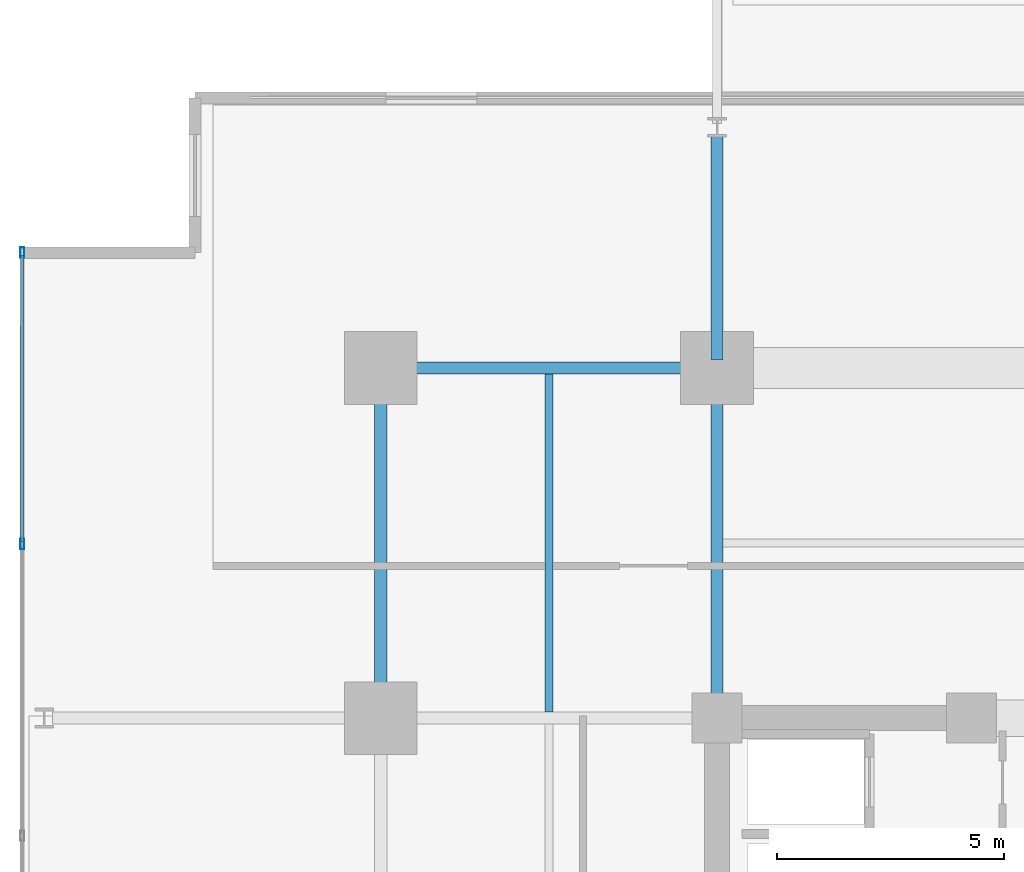
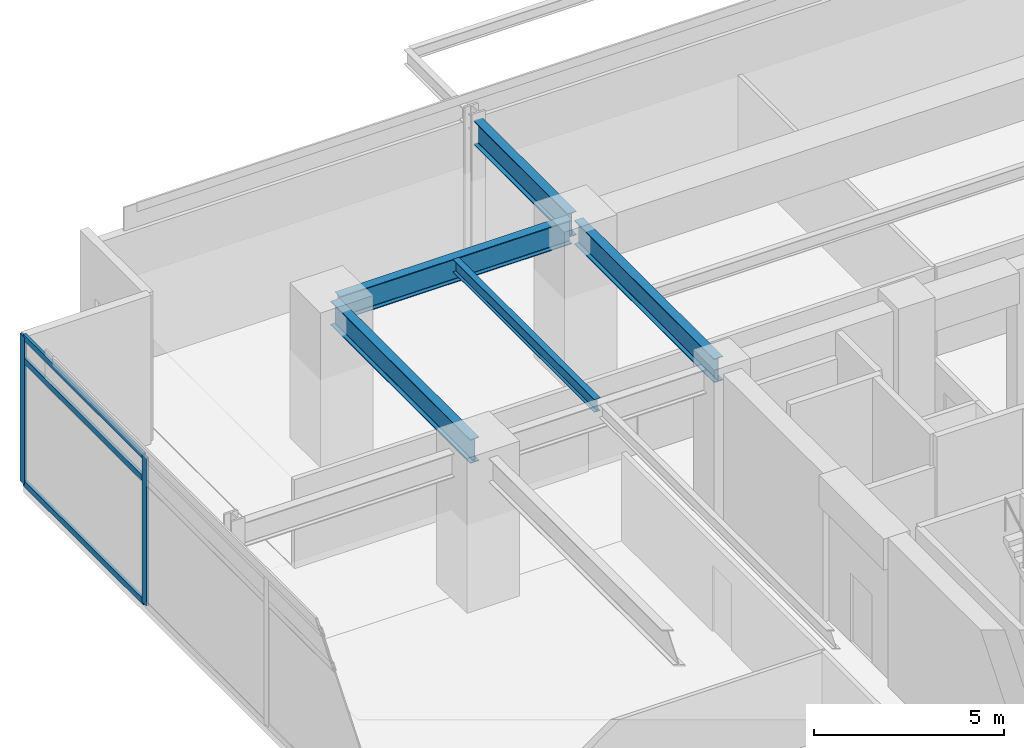
# One storey, part 10 of 20: 5 beams, 5 members, 1 element without a shape of its own.
"""IFC4 building model written with IfcOpenShell, lengths in metres."""

from ifc_helpers import new_model, si_unit, direction, frame, origin, origin_2d, place, context, subcontext, project, spatial, hollow_rectangle, i_section, extrude, material, material_profile, profile_set, type_object, element, aggregate, save


model = new_model("IFC4")

# Units and contexts
model_context = context("Model", 3, precision=1e-05, world=origin(), true_north=direction((0.0, 1.0)))
body_context = subcontext(model_context, "Body", "Model", "MODEL_VIEW")
ifc_project = project(units=[si_unit("LENGTHUNIT", "METRE"), si_unit("AREAUNIT", "SQUARE_METRE"), si_unit("VOLUMEUNIT", "CUBIC_METRE"), si_unit("PLANEANGLEUNIT", "RADIAN"), si_unit("MASSUNIT", "GRAM", prefix="KILO")], contexts=[model_context])

# Site, building, storey
site_placement = place(None, origin())
site = spatial("IfcSite", under=ifc_project, at=site_placement, CompositionType="ELEMENT")
building_placement = place(site_placement, origin())
building = spatial("IfcBuilding", under=site, at=building_placement, Name="Kovane Verandah Tower", CompositionType="ELEMENT")
storey_placement = place(building_placement, frame((0.0, 0.0, 123.39990234375)))
storey = spatial("IfcBuildingStorey", under=building, at=storey_placement, Name="L28", CompositionType="ELEMENT", Elevation=123.39990234375)

# Beams
ifc_material_1 = material(Name="Steel S355", Category="steel")
ifc_material_profile_1 = material_profile(ifc_material_1, i_section(OverallWidth=0.26806640625, OverallDepth=0.769775390625, WebThickness=0.015625, FlangeThickness=0.025390625, FilletRadius=0.0166015625, at=origin_2d()), Name="UB762x267x197")
ifc_profile_set_1 = profile_set([ifc_material_profile_1], Name="Steel S355")
beam_type_1 = type_object("IfcBeamType", Name="BM-UB762x197", PredefinedType="BEAM", material=ifc_profile_set_1)
beam_1_placement = place(storey_placement, frame((21.780029296875, 44.199951171875, 4.39013671875), z_axis=(1.0, 0.0, 0.0), x_axis=(0.0, 1.0, 0.0)))
element("IfcBeam", 1, at=beam_1_placement, inside=storey, type_object=beam_type_1, Name="L28 Primary Tower Girder G-RN1", PredefinedType="BEAM", context=body_context, shape_type="SweptSolid", body=[
    extrude(i_section(OverallWidth=0.26806640625, OverallDepth=0.769775390625, WebThickness=0.015625, FlangeThickness=0.025390625, FilletRadius=0.0166015625, at=origin_2d()), origin(), (0.0, 0.0, 1.0), 7.0400390625),
])
for number, where, z_axis, x_axis, name in (
    (2, (21.60009765625, 36.679931640625, 4.39013671875), (0.0, 1.0, 0.0), (-1.0, 0.0, 0.0), "L28 Primary Tower Girder G-RW3"),
    (3, (29.0, 36.679931640625, 4.39013671875), (0.0, 1.0, 0.0), (-1.0, 0.0, 0.0), "L28 Primary Tower Girder G-N1"),
):
    element("IfcBeam", number, at=place(storey_placement, frame(where, z_axis=z_axis, x_axis=x_axis)), inside=storey, type_object=beam_type_1, Name=name, PredefinedType="BEAM", context=body_context, shape_type="SweptSolid", body=[
        extrude(i_section(OverallWidth=0.26806640625, OverallDepth=0.769775390625, WebThickness=0.015625, FlangeThickness=0.025390625, FilletRadius=0.0166015625, at=origin_2d()), origin(), (0.0, 0.0, 1.0), 7.340087890625),
    ])
beam_2_placement = place(storey_placement, frame((29.0, 44.3798828125, 4.375244140625), z_axis=(0.0, 1.0, 0.0), x_axis=(-1.0, 0.0, 0.0)))
element("IfcBeam", 4, at=beam_2_placement, inside=storey, type_object=beam_type_1, Name="L28 Primary Tower Girder G-VN1", PredefinedType="BEAM", context=body_context, shape_type="SweptSolid", body=[
    extrude(i_section(OverallWidth=0.26806640625, OverallDepth=0.769775390625, WebThickness=0.015625, FlangeThickness=0.025390625, FilletRadius=0.0166015625, at=origin_2d()), origin(), (0.0, 0.0, 1.0), 4.940185546875),
])

# Curtain wall, members
ifc_material_2 = material(Name="Champagne Anodised Aluminium Frame with Low-E Clear Laminated Glass", Category="aluminium")
curtain_wall_type = type_object("IfcCurtainWallType", Name="CW-SYS-03-MID", PredefinedType="NOTDEFINED", material=ifc_material_2)
curtain_wall_placement = place(storey_placement, origin())
curtain_wall = element("IfcCurtainWall", 5, at=curtain_wall_placement, inside=storey, type_object=curtain_wall_type, Name="L28 W Unitised Curtain Wall", PredefinedType="NOTDEFINED")
ifc_material_3 = material(Name="Champagne Anodised Aluminium 6063-T6", Category="aluminium")
ifc_material_profile_2 = material_profile(ifc_material_3, hollow_rectangle(XDim=0.0849609375, YDim=0.22998046875, WallThickness=0.00390625, at=origin_2d()), Name="AL85x230x4")
ifc_profile_set_2 = profile_set([ifc_material_profile_2], Name="Champagne Anodised Aluminium 6063-T6")
member_type_1 = type_object("IfcMemberType", Name="CW-MUL-85x230", PredefinedType="MULLION", material=ifc_profile_set_2)
member_1_placement = place(storey_placement, frame((13.71533203125, 46.7392578125, 0.02001953125), z_axis=(0.0, 0.0, 1.0), x_axis=(-1.0, 0.0, 0.0)))
member_1 = element("IfcMember", 6, at=member_1_placement, type_object=member_type_1, Name="L28 W Unitised Curtain Wall Mullion 1", PredefinedType="MULLION", context=body_context, shape_type="SweptSolid", body=[
    extrude(hollow_rectangle(XDim=0.0849609375, YDim=0.22998046875, WallThickness=0.00390625, at=origin_2d()), origin(), (0.0, 0.0, 1.0), 4.735107421875),
])
member_2_placement = place(storey_placement, frame((13.71533203125, 40.326171875, 0.02001953125), z_axis=(0.0, 0.0, 1.0), x_axis=(-1.0, 0.0, 0.0)))
member_2 = element("IfcMember", 7, at=member_2_placement, type_object=member_type_1, Name="L28 W Unitised Curtain Wall Mullion 2", PredefinedType="MULLION", context=body_context, shape_type="SweptSolid", body=[
    extrude(hollow_rectangle(XDim=0.0849609375, YDim=0.22998046875, WallThickness=0.00390625, at=origin_2d()), origin(), (0.0, 0.0, 1.0), 4.735107421875),
])
ifc_material_profile_3 = material_profile(ifc_material_3, hollow_rectangle(XDim=0.0849609375, YDim=0.18994140625, WallThickness=0.00390625, at=origin_2d()), Name="AL85x190x4")
ifc_profile_set_3 = profile_set([ifc_material_profile_3], Name="Champagne Anodised Aluminium 6063-T6")
member_type_2 = type_object("IfcMemberType", Name="CW-TRN-85x190", PredefinedType="USERDEFINED", material=ifc_profile_set_3)
member_3_placement = place(storey_placement, frame((13.71533203125, 46.689208984375, 0.050048828125), z_axis=(0.0, -1.0, 0.0), x_axis=(1.0, 0.0, 0.0)))
member_3 = element("IfcMember", 8, at=member_3_placement, type_object=member_type_2, Name="L28 W Unitised Curtain Wall Transom TB Bay 1", ObjectType="TRANSOM", PredefinedType="USERDEFINED", context=body_context, shape_type="SweptSolid", body=[
    extrude(hollow_rectangle(XDim=0.0849609375, YDim=0.18994140625, WallThickness=0.00390625, at=origin_2d()), origin(), (0.0, 0.0, 1.0), 6.31298828125),
])
member_4_placement = place(storey_placement, frame((13.71533203125, 46.689208984375, 3.9951171875), z_axis=(0.0, -1.0, 0.0), x_axis=(1.0, 0.0, 0.0)))
member_4 = element("IfcMember", 9, at=member_4_placement, type_object=member_type_2, Name="L28 W Unitised Curtain Wall Transom TM Bay 1", ObjectType="TRANSOM", PredefinedType="USERDEFINED", context=body_context, shape_type="SweptSolid", body=[
    extrude(hollow_rectangle(XDim=0.0849609375, YDim=0.18994140625, WallThickness=0.00390625, at=origin_2d()), origin(), (0.0, 0.0, 1.0), 6.31298828125),
])
member_5_placement = place(storey_placement, frame((13.71533203125, 46.689208984375, 4.72509765625), z_axis=(0.0, -1.0, 0.0), x_axis=(1.0, 0.0, 0.0)))
member_5 = element("IfcMember", 10, at=member_5_placement, type_object=member_type_2, Name="L28 W Unitised Curtain Wall Transom TT Bay 1", ObjectType="TRANSOM", PredefinedType="USERDEFINED", context=body_context, shape_type="SweptSolid", body=[
    extrude(hollow_rectangle(XDim=0.0849609375, YDim=0.18994140625, WallThickness=0.00390625, at=origin_2d()), origin(), (0.0, 0.0, 1.0), 6.31298828125),
])
aggregate(curtain_wall, [member_1, member_2, member_3, member_4, member_5])

# Beam
ifc_material_profile_4 = material_profile(ifc_material_1, i_section(OverallWidth=0.179443359375, OverallDepth=0.412841796875, WebThickness=0.009521484375, FlangeThickness=0.01611328125, FilletRadius=0.01025390625, at=origin_2d()), Name="UB406x178x74")
ifc_profile_set_4 = profile_set([ifc_material_profile_4], Name="Steel S355")
beam_type_2 = type_object("IfcBeamType", Name="JST-UB406x74", PredefinedType="JOIST", material=ifc_profile_set_4)
beam_3_placement = place(storey_placement, frame((25.300048828125, 36.632080078125, 4.568603515625), z_axis=(0.0, 1.0, 0.0), x_axis=(-1.0, 0.0, 0.0)))
element("IfcBeam", 11, at=beam_3_placement, inside=storey, type_object=beam_type_2, Name="L28 Secondary Composite Joist J-NW1", PredefinedType="JOIST", context=body_context, shape_type="SweptSolid", body=[
    extrude(i_section(OverallWidth=0.179443359375, OverallDepth=0.412841796875, WebThickness=0.009521484375, FlangeThickness=0.01611328125, FilletRadius=0.01025390625, at=origin_2d()), origin(), (0.0, 0.0, 1.0), 7.43603515625),
])

save(model, "model.ifc")
